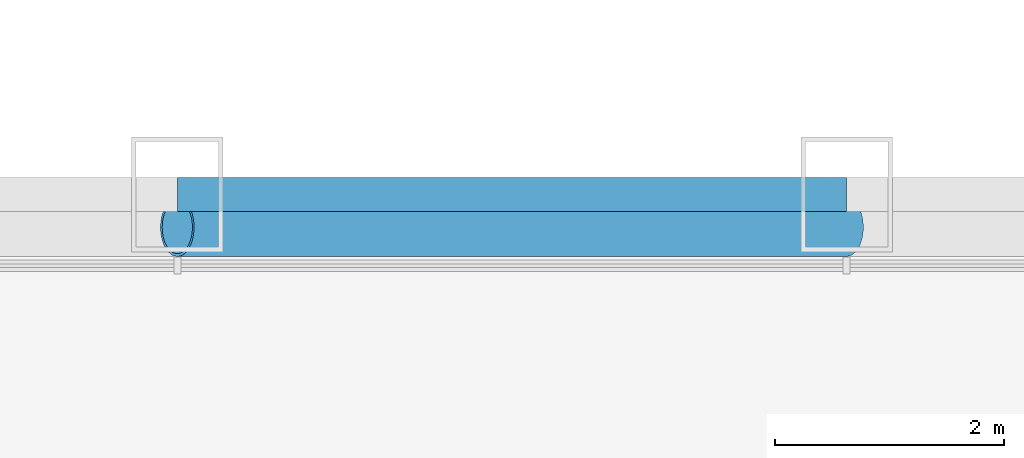
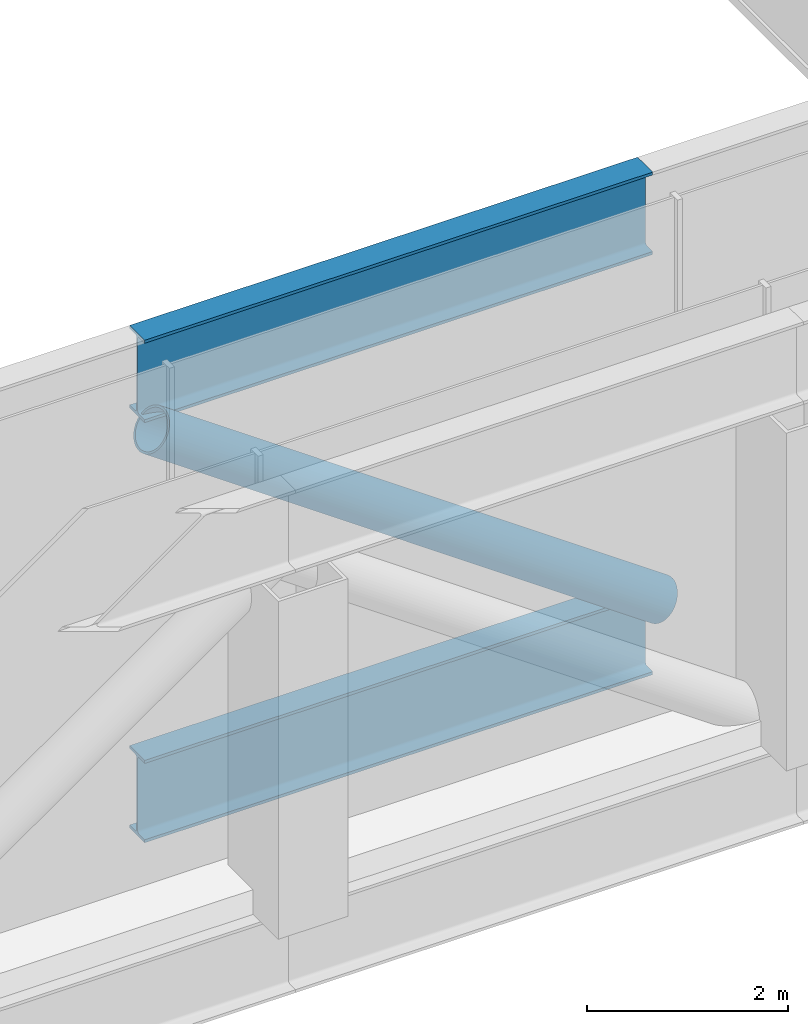
# One storey, part 8 of 23: 3 members.
"""IFC4 building model written with IfcOpenShell, lengths in metres."""

from ifc_helpers import new_model, si_unit, direction, frame, origin, origin_2d, place, context, subcontext, project, spatial, hollow_circle, i_section, extrude, material, material_profile, profile_set, type_object, element, save


model = new_model("IFC4")

# Units and contexts
model_context = context("Model", 3, precision=1e-05, world=origin(), true_north=direction((0.0, 1.0)))
body_context = subcontext(model_context, "Body", "Model", "MODEL_VIEW")
ifc_project = project(units=[si_unit("LENGTHUNIT", "METRE"), si_unit("AREAUNIT", "SQUARE_METRE"), si_unit("VOLUMEUNIT", "CUBIC_METRE"), si_unit("PLANEANGLEUNIT", "RADIAN"), si_unit("MASSUNIT", "GRAM", prefix="KILO")], contexts=[model_context])

# Site, building, storey
site_placement = place(None, origin())
site = spatial("IfcSite", under=ifc_project, at=site_placement, CompositionType="ELEMENT")
building_placement = place(site_placement, origin())
building = spatial("IfcBuilding", under=site, at=building_placement, Name="Plateau Cross Towers", CompositionType="ELEMENT")
storey_placement = place(building_placement, frame((0.0, 0.0, 123.800048828125)))
storey = spatial("IfcBuildingStorey", under=building, at=storey_placement, Name="L32", CompositionType="ELEMENT", Elevation=123.800048828125)

# Members
ifc_material = material(Name="Steel S355", Category="steel")
ifc_material_profile_1 = material_profile(ifc_material, i_section(OverallWidth=0.300048828125, OverallDepth=1.0, WebThickness=0.01904296875, FlangeThickness=0.035888671875, FilletRadius=0.030029296875, at=origin_2d()), Name="HE 1000 B")
ifc_profile_set_1 = profile_set([ifc_material_profile_1], Name="Steel S355")
member_type_1 = type_object("IfcMemberType", Name="Sky garden bridge truss chord HE 1000 B", PredefinedType="CHORD", material=ifc_profile_set_1)
for number, where, z_axis, x_axis, name in (
    (1, (60.333251953125, 10.5, -0.800048828125), (1.0, 0.0, 0.0), (0.0, 1.0, 0.0), "BR-S-T2-B2"),
    (2, (60.333251953125, 10.5, 4.300048828125), (1.0, 0.0, 0.0), (0.0, 1.0, 0.0), "BR-S-T2-T2"),
):
    element("IfcMember", number, at=place(storey_placement, frame(where, z_axis=z_axis, x_axis=x_axis)), inside=storey, type_object=member_type_1, Name=name, PredefinedType="CHORD", context=body_context, shape_type="SweptSolid", body=[
        extrude(i_section(OverallWidth=0.300048828125, OverallDepth=1.0, WebThickness=0.01904296875, FlangeThickness=0.035888671875, FilletRadius=0.030029296875, at=origin_2d()), origin(), (0.0, 0.0, 1.0), 5.83349609375),
    ])
ifc_material_profile_2 = material_profile(ifc_material, hollow_circle(Radius=0.25390625, WallThickness=0.02490234375, at=origin_2d()), Name="CHS 508x25")
ifc_profile_set_2 = profile_set([ifc_material_profile_2], Name="Steel S355")
member_type_2 = type_object("IfcMemberType", Name="Sky garden bridge truss diagonal CHS 508x25", PredefinedType="BRACE", material=ifc_profile_set_2)
member_placement = place(storey_placement, frame((60.333251953125, 10.214111328125, 3.800048828125), z_axis=(0.818133358875, 0.0, -0.575028527201), x_axis=(0.0, 1.0, 0.0)))
element("IfcMember", 3, at=member_placement, inside=storey, type_object=member_type_2, Name="BR-S-T2-D2", PredefinedType="BRACE", context=body_context, shape_type="SweptSolid", body=[
    extrude(hollow_circle(Radius=0.25390625, WallThickness=0.02490234375, at=origin_2d()), origin(), (0.0, 0.0, 1.0), 7.13037109375),
])

save(model, "model.ifc")
